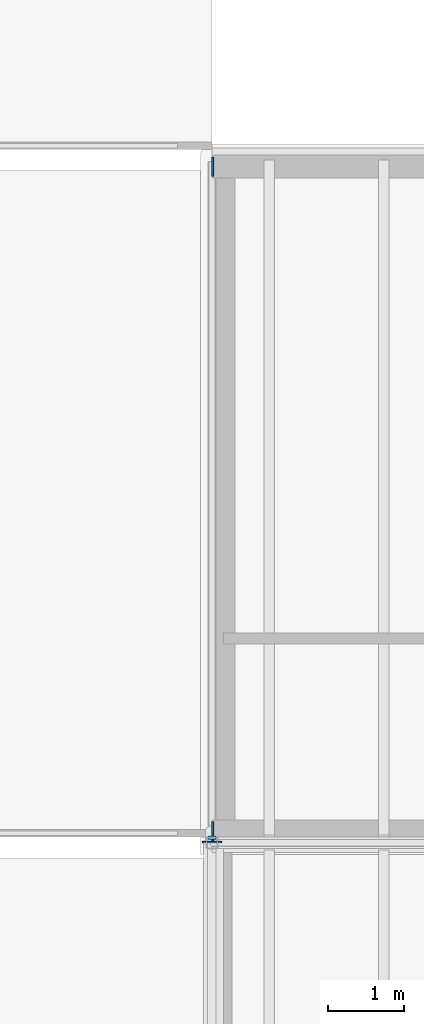
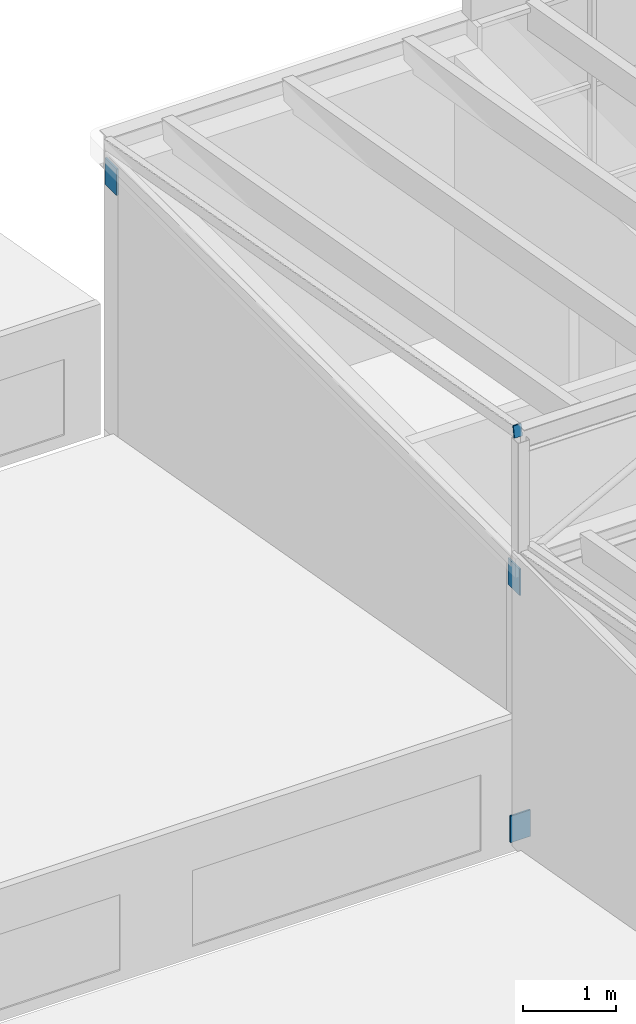
# One storey, part 38 of 44: 4 discrete accessories.
"""IFC4 building model written with IfcOpenShell, lengths in metres."""

import ifcopenshell
import ifcopenshell.guid

model = None  # the IFC model being written
_history = None  # IfcOwnerHistory: only IFC2X3 demands one
_inside = {}  # id of a spatial element -> (the spatial element, [elements in it])
_under = {}  # id of a project, library or spatial element -> (it, [spatial elements below it])
_declared = {}  # id of a project -> (the project, [libraries it declares])
_typed = {}  # id of a type object -> (the type object, [elements of that type])
_made_of = {}  # id of a material, layer set ... -> (it, [elements and type objects made of it])


def new_model(schema):
    """Start an empty IFC model of exactly this schema.

    Asked for "IFC4X3", IfcOpenShell would pick the latest addendum, in which some entities
    have other attributes; the version numbers below select the first issue.
    IFC2X3 requires an IfcOwnerHistory on every rooted entity: one is made here for all.
    """
    global model, _history
    if schema == "IFC4X3":
        model = ifcopenshell.file(schema_version=(4, 3, 0, 0))
    else:
        model = ifcopenshell.file(schema=schema)
    _inside.clear()
    _under.clear()
    _declared.clear()
    _typed.clear()
    _made_of.clear()
    _history = None
    if model.schema == "IFC2X3":
        org = make("IfcOrganization", Name="unknown")
        user = make(
            "IfcPersonAndOrganization",
            ThePerson=make("IfcPerson", FamilyName="unknown"),
            TheOrganization=org,
        )
        app = make(
            "IfcApplication",
            ApplicationDeveloper=org,
            Version="unknown",
            ApplicationFullName="unknown",
            ApplicationIdentifier="unknown",
        )
        _history = make(
            "IfcOwnerHistory",
            OwningUser=user,
            OwningApplication=app,
            ChangeAction="ADDED",
            CreationDate=0,
        )
    return model


def make(cls, **values):
    """One entity of the class cls with the attributes given. An attribute that is None is left unset."""
    return model.create_entity(
        cls, **{name: value for name, value in values.items() if value is not None}
    )


def rooted(cls, **values):
    """An entity with a GlobalId (a new one), such as an element, a storey or a relation."""
    return make(cls, GlobalId=ifcopenshell.guid.new(), OwnerHistory=_history, **values)


def si_unit(unit_type, name, prefix=None):
    """IfcSIUnit, for example si_unit("LENGTHUNIT", "METRE", prefix="MILLI")."""
    return make("IfcSIUnit", UnitType=unit_type, Prefix=prefix, Name=name)


def assignment(units):
    """IfcUnitAssignment: the units of a project."""
    return None if units is None else make("IfcUnitAssignment", Units=units)


def point(xyz):
    """IfcCartesianPoint."""
    return None if xyz is None else make("IfcCartesianPoint", Coordinates=xyz)


def direction(xyz):
    """IfcDirection."""
    return None if xyz is None else make("IfcDirection", DirectionRatios=xyz)


def frame(location, z_axis=None, x_axis=None):
    """IfcAxis2Placement3D, a coordinate frame: its origin and axes. An axis left out is left unset."""
    return make(
        "IfcAxis2Placement3D",
        Location=point(location),
        Axis=direction(z_axis),
        RefDirection=direction(x_axis),
    )


def frame_2d(location, x_axis=None):
    """IfcAxis2Placement2D, a coordinate frame in the plane: its origin and x axis."""
    return make(
        "IfcAxis2Placement2D", Location=point(location), RefDirection=direction(x_axis)
    )


def origin():
    """The frame at (0, 0, 0) with its axes left unset."""
    return frame((0.0, 0.0, 0.0))


def origin_2d():
    """The frame at (0, 0) in the plane with its x axis left unset."""
    return frame_2d((0.0, 0.0))


def place(relative_to, where):
    """IfcLocalPlacement: puts the frame where relative to a parent placement (None: the world)."""
    return make(
        "IfcLocalPlacement", PlacementRelTo=relative_to, RelativePlacement=where
    )


def context(
    kind, dimensions, precision=None, world=None, true_north=None, identifier=None
):
    """IfcGeometricRepresentationContext, for example the 3D "Model" context."""
    return make(
        "IfcGeometricRepresentationContext",
        ContextIdentifier=identifier,
        ContextType=kind,
        CoordinateSpaceDimension=dimensions,
        Precision=precision,
        WorldCoordinateSystem=world,
        TrueNorth=true_north,
    )


def subcontext(parent, identifier, kind, view, scale=None):
    """IfcGeometricRepresentationSubContext, for example "Body" below "Model"."""
    return make(
        "IfcGeometricRepresentationSubContext",
        ContextIdentifier=identifier,
        ContextType=kind,
        ParentContext=parent,
        TargetScale=scale,
        TargetView=view,
    )


def project(units=None, contexts=None):
    """IfcProject with its units and contexts."""
    return rooted(
        "IfcProject",
        Name="project",
        RepresentationContexts=contexts,
        UnitsInContext=assignment(units),
    )


def spatial(cls, under=None, at=None, **own):
    """A site, building, storey or space (cls), placed at a placement, below another one or the project."""
    s = rooted(cls, ObjectPlacement=at, **own)
    if under is not None:
        _under.setdefault(under.id(), (under, []))[1].append(s)
    return s


def profile(cls, at=None, kind="AREA", **sizes):
    """A parametric profile (cls). Its sizes go by their IFC names, for example OverallWidth=200.0."""
    return make(cls, ProfileType=kind, Position=at, **sizes)


def rectangle(**sizes):
    """IfcRectangleProfileDef."""
    return profile("IfcRectangleProfileDef", **sizes)


def extrude(swept, where, along, depth):
    """IfcExtrudedAreaSolid: the profile swept, set in the frame where, extruded along a direction by depth."""
    return make(
        "IfcExtrudedAreaSolid",
        SweptArea=swept,
        Position=where,
        ExtrudedDirection=direction(along),
        Depth=depth,
    )


def shape(context_of_items, identifier, shape_type, items):
    """IfcShapeRepresentation: the items that make up one representation, for example the "Body"."""
    return make(
        "IfcShapeRepresentation",
        ContextOfItems=context_of_items,
        RepresentationIdentifier=identifier,
        RepresentationType=shape_type,
        Items=items,
    )


def made_of(thing, what):
    """Note that an element or type object is made of a material, layer set ...; save() writes the relation."""
    if what is not None:
        _made_of.setdefault(what.id(), (what, []))[1].append(thing)
    return thing


def element(
    cls,
    number,
    at=None,
    inside=None,
    cuts=None,
    type_object=None,
    material=None,
    context=None,
    identifier="Body",
    shape_type=None,
    held_by="IfcProductDefinitionShape",
    body=None,
    shapes=None,
    **own,
):
    """One element of the class cls, such as IfcWall. Its Tag is "e" and its number.

    at: its placement. inside: the storey or other place that contains it. cuts: it is an
    opening in that element (IfcRelVoidsElement). A single representation is given by context,
    identifier, shape_type and body (its items); several are given by shapes. held_by: the class
    of the entity that holds the representations. save() writes the other relations.
    """
    e = rooted(cls, Tag="e%d" % number, ObjectPlacement=at, **own)
    if body is not None:
        shapes = [shape(context, identifier, shape_type, body)]
    if shapes is not None:
        e.Representation = make(held_by, Representations=shapes)
    if inside is not None:
        _inside.setdefault(inside.id(), (inside, []))[1].append(e)
    if cuts is not None:
        rooted(
            "IfcRelVoidsElement", RelatingBuildingElement=cuts, RelatedOpeningElement=e
        )
    if type_object is not None:
        _typed.setdefault(type_object.id(), (type_object, []))[1].append(e)
    return made_of(e, material)


def aggregate(whole, parts):
    """IfcRelAggregates: a whole, such as a stair, and the parts it consists of."""
    return rooted("IfcRelAggregates", RelatingObject=whole, RelatedObjects=parts)


def save(model, path):
    """Write the relations noted so far, then the file.

    IfcRelAggregates (storeys below a building ...), IfcRelContainedInSpatialStructure (elements
    in a storey), IfcRelDefinesByType, IfcRelAssociatesMaterial and IfcRelDeclares: one each for
    every whole, place, type object, material and project.
    """
    for whole, parts in _under.values():
        aggregate(whole, parts)
    for where, things in _inside.values():
        rooted(
            "IfcRelContainedInSpatialStructure",
            RelatedElements=things,
            RelatingStructure=where,
        )
    for kind, things in _typed.values():
        rooted("IfcRelDefinesByType", RelatedObjects=things, RelatingType=kind)
    for what, things in _made_of.values():
        rooted("IfcRelAssociatesMaterial", RelatedObjects=things, RelatingMaterial=what)
    for by, libraries in _declared.values():
        rooted("IfcRelDeclares", RelatingContext=by, RelatedDefinitions=libraries)
    model.write(path)


model = new_model("IFC4")

# Units and contexts
model_context = context("Model", 3, precision=1e-05, world=origin(), true_north=direction((0.0, 1.0)))
body_context = subcontext(model_context, "Body", "Model", "MODEL_VIEW")
ifc_project = project(units=[si_unit("LENGTHUNIT", "METRE"), si_unit("AREAUNIT", "SQUARE_METRE"), si_unit("VOLUMEUNIT", "CUBIC_METRE"), si_unit("PLANEANGLEUNIT", "RADIAN"), si_unit("MASSUNIT", "GRAM", prefix="KILO")], contexts=[model_context])

# Site, building, storey
site_placement = place(None, origin())
site = spatial("IfcSite", under=ifc_project, at=site_placement, CompositionType="ELEMENT")
building_placement = place(site_placement, origin())
building = spatial("IfcBuilding", under=site, at=building_placement, Name="Halyard Row Museum", CompositionType="ELEMENT")
storey_placement = place(building_placement, frame((0.0, 0.0, 21.199951171875)))
storey = spatial("IfcBuildingStorey", under=building, at=storey_placement, Name="L04", CompositionType="ELEMENT", Elevation=21.199951171875)

# Discrete accessories
discrete_accessory_placement = place(storey_placement, frame((72.0, 27.074951171875, 5.390625), z_axis=(0.0, -0.985030467156, 0.172380331752), x_axis=(1.0, 0.0, 0.0)))
element("IfcDiscreteAccessory", 1, at=discrete_accessory_placement, inside=storey, Name="V2-GW4 raking rafter end plate", PredefinedType="BRACKET", context=body_context, shape_type="SweptSolid", body=[
    extrude(rectangle(XDim=0.10009765625, YDim=0.14990234375, at=origin_2d()), origin(), (0.0, 0.0, 1.0), 0.019775390625),
])
for number, where, z_axis, x_axis, name in (
    (2, (72.0, 27.0, 0.215087890625), (0.0, 1.0, 0.0), (-1.0, 0.0, 0.0), "Brace L04 X72 18-27 B cast-in plate"),
    (3, (72.0, 27.14990234375, 3.4130859375), (1.0, 0.0, 0.0), (0.0, 1.0, 0.0), "V2-GW3 raking rafter cast-in plate"),
    (4, (72.0, 35.85009765625, 3.4130859375), (1.0, 0.0, 0.0), (0.0, 1.0, 0.0), "V2-GW4 raking rafter cast-in plate"),
):
    element("IfcDiscreteAccessory", number, at=place(storey_placement, frame(where, z_axis=z_axis, x_axis=x_axis)), inside=storey, Name=name, PredefinedType="ANCHORPLATE", context=body_context, shape_type="SweptSolid", body=[
        extrude(rectangle(XDim=0.25, YDim=0.35009765625, at=origin_2d()), origin(), (0.0, 0.0, 1.0), 0.02001953125),
    ])

save(model, "model.ifc")
